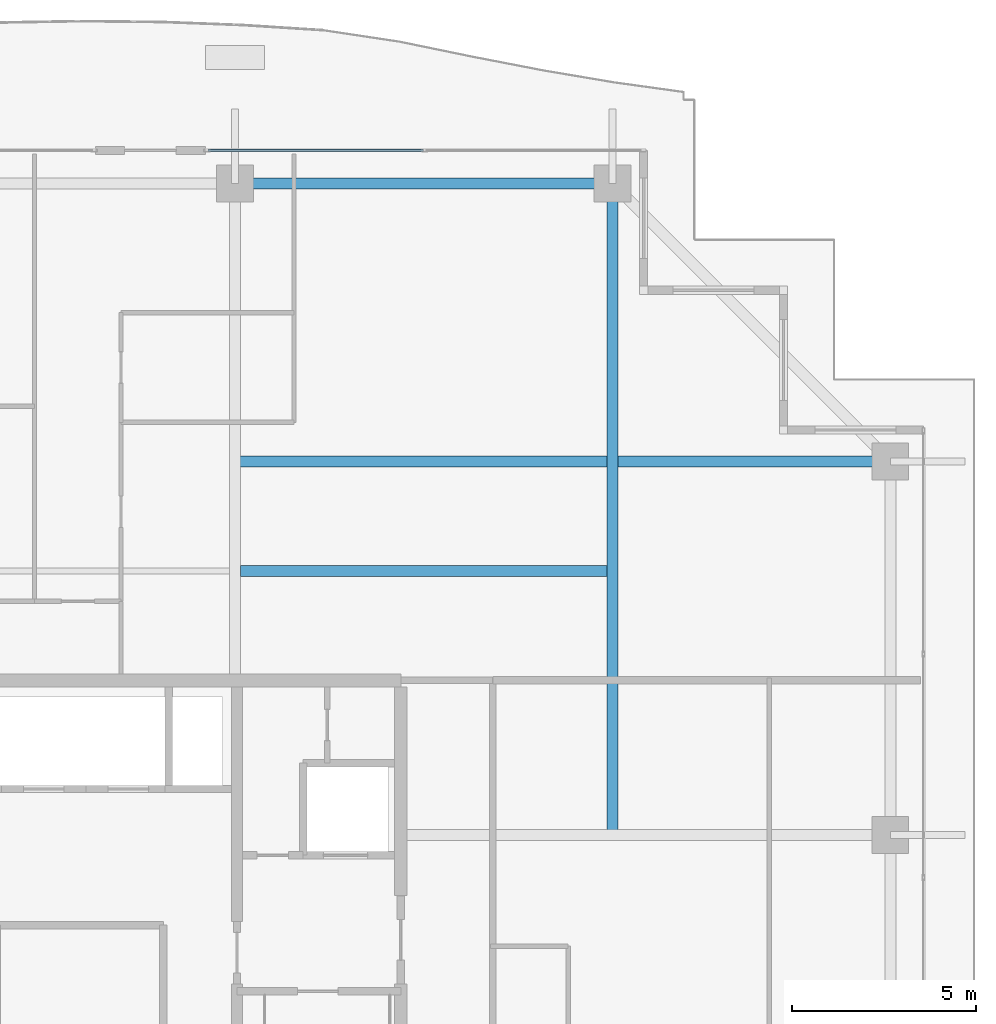
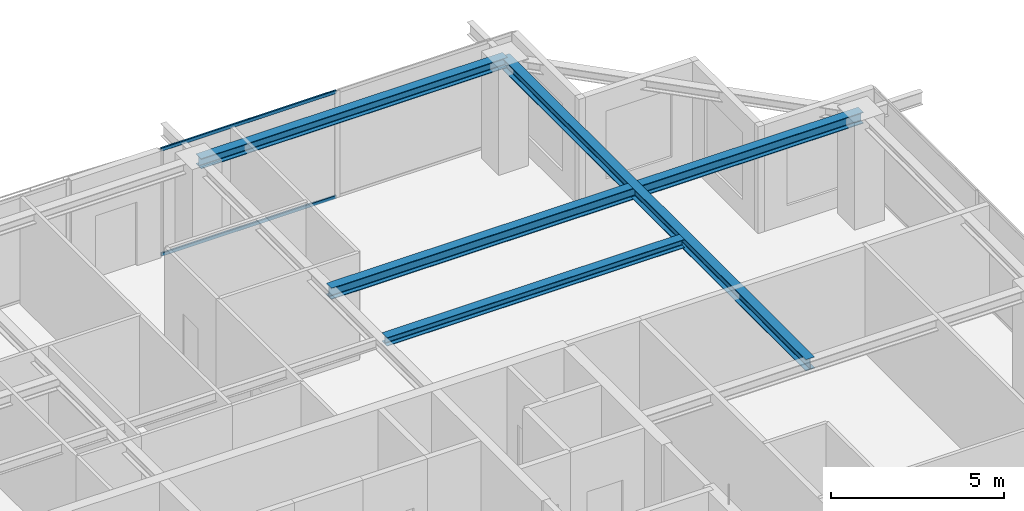
# One storey, part 21 of 37: 4 beams, 2 members, 1 element without a shape of its own.
"""IFC4 building model written with IfcOpenShell, lengths in metres."""

from ifc_helpers import new_model, si_unit, direction, frame, origin, origin_2d, place, context, subcontext, project, spatial, hollow_rectangle, i_section, extrude, source, transform, mapped, material, layer, layer_set, material_profile, profile_set, type_object, element, aggregate, save


model = new_model("IFC4")

# Units and contexts
model_context = context("Model", 3, precision=1e-05, world=origin(), true_north=direction((0.0, 1.0)))
body_context = subcontext(model_context, "Body", "Model", "MODEL_VIEW")
ifc_project = project(units=[si_unit("LENGTHUNIT", "METRE"), si_unit("AREAUNIT", "SQUARE_METRE"), si_unit("VOLUMEUNIT", "CUBIC_METRE"), si_unit("PLANEANGLEUNIT", "RADIAN"), si_unit("MASSUNIT", "GRAM", prefix="KILO")], contexts=[model_context])

# Site, building, storey
site_placement = place(None, origin())
site = spatial("IfcSite", under=ifc_project, at=site_placement, CompositionType="ELEMENT")
building_placement = place(site_placement, origin())
building = spatial("IfcBuilding", under=site, at=building_placement, Name="Serunith Strait Residences", CompositionType="ELEMENT")
storey_placement = place(building_placement, frame((0.0, 0.0, 317.75)))
storey = spatial("IfcBuildingStorey", under=building, at=storey_placement, Name="L79", CompositionType="ELEMENT", Elevation=317.75)

# Beams
ifc_material_1 = material(Name="Steel S355J2", Category="steel")
ifc_material_profile_1 = material_profile(ifc_material_1, i_section(OverallWidth=0.300048828125, OverallDepth=0.300048828125, WebThickness=0.010986328125, FlangeThickness=0.01904296875, FilletRadius=0.027099609375, at=origin_2d()), Name="HEB 300")
ifc_profile_set_1 = profile_set([ifc_material_profile_1], Name="Steel S355J2")
beam_type_1 = type_object("IfcBeamType", Name="BM-HEB300", PredefinedType="JOIST", material=ifc_profile_set_1)
shared_shape_1 = source(origin(), body_context, "Body", "SweptSolid", [
    extrude(i_section(OverallWidth=0.300048828125, OverallDepth=0.300048828125, WebThickness=0.010986328125, FlangeThickness=0.01904296875, FilletRadius=0.027099609375, at=origin_2d()), origin(), (0.0, 0.0, 1.0), 9.949951171875),
])
beam_1_placement = place(storey_placement, frame((37.050048828125, 36.574951171875, 3.636962890625), z_axis=(1.0, 0.0, 0.0), x_axis=(0.0, 1.0, 0.0)))
element("IfcBeam", 1, at=beam_1_placement, inside=storey, type_object=beam_type_1, Name="L79 Composite Floor Joist 06", PredefinedType="JOIST", context=body_context, shape_type="MappedRepresentation", body=[
    mapped(shared_shape_1, transform((0.0, 0.0, 0.0), scale=1.0)),
])
ifc_material_profile_2 = material_profile(ifc_material_1, i_section(OverallWidth=0.300048828125, OverallDepth=0.39990234375, WebThickness=0.013427734375, FlangeThickness=0.02392578125, FilletRadius=0.027099609375, at=origin_2d()), Name="HEB 400")
ifc_profile_set_2 = profile_set([ifc_material_profile_2], Name="Steel S355J2")
beam_type_2 = type_object("IfcBeamType", Name="BM-HEB400", PredefinedType="BEAM", material=ifc_profile_set_2)
shared_shape_2 = source(origin(), body_context, "Body", "SweptSolid", [
    extrude(i_section(OverallWidth=0.300048828125, OverallDepth=0.39990234375, WebThickness=0.013427734375, FlangeThickness=0.02392578125, FilletRadius=0.027099609375, at=origin_2d()), origin(), (0.0, 0.0, 1.0), 17.7001953125),
])
beam_2_placement = place(storey_placement, frame((47.14990234375, 29.39990234375, 3.5869140625), z_axis=(0.0, 1.0, 0.0), x_axis=(-1.0, 0.0, 0.0)))
element("IfcBeam", 2, at=beam_2_placement, inside=storey, type_object=beam_type_2, Name="L79 Orthogonal Corner Girder TC-N4", PredefinedType="BEAM", context=body_context, shape_type="MappedRepresentation", body=[
    mapped(shared_shape_2, transform((0.0, 0.0, 0.0), scale=1.0)),
])
shared_shape_3 = source(origin(), body_context, "Body", "SweptSolid", [
    extrude(i_section(OverallWidth=0.300048828125, OverallDepth=0.39990234375, WebThickness=0.013427734375, FlangeThickness=0.02392578125, FilletRadius=0.027099609375, at=origin_2d()), origin(), (0.0, 0.0, 1.0), 17.800048828125),
])
beam_3_placement = place(storey_placement, frame((36.89990234375, 39.550048828125, 3.5869140625), z_axis=(1.0, 0.0, 0.0), x_axis=(0.0, 1.0, 0.0)))
element("IfcBeam", 3, at=beam_3_placement, inside=storey, type_object=beam_type_2, Name="L79 Orthogonal Corner Girder TC-E4", PredefinedType="BEAM", context=body_context, shape_type="MappedRepresentation", body=[
    mapped(shared_shape_3, transform((0.0, 0.0, 0.0), scale=1.0)),
])
ifc_material_profile_3 = material_profile(ifc_material_1, i_section(OverallWidth=0.300048828125, OverallDepth=0.360107421875, WebThickness=0.012451171875, FlangeThickness=0.0224609375, FilletRadius=0.027099609375, at=origin_2d()), Name="HEB 360")
ifc_profile_set_3 = profile_set([ifc_material_profile_3], Name="Steel S355J2")
beam_type_3 = type_object("IfcBeamType", Name="BM-HEB360", PredefinedType="BEAM", material=ifc_profile_set_3)
shared_shape_4 = source(origin(), body_context, "Body", "SweptSolid", [
    extrude(i_section(OverallWidth=0.300048828125, OverallDepth=0.360107421875, WebThickness=0.012451171875, FlangeThickness=0.0224609375, FilletRadius=0.027099609375, at=origin_2d()), origin(), (0.0, 0.0, 1.0), 10.25),
])
beam_4_placement = place(storey_placement, frame((47.14990234375, 47.10009765625, 3.60693359375), z_axis=(-1.0, 0.0, 0.0), x_axis=(0.0, -1.0, 0.0)))
element("IfcBeam", 4, at=beam_4_placement, inside=storey, type_object=beam_type_3, Name="L79 Perimeter Ring Beam 09", PredefinedType="BEAM", context=body_context, shape_type="MappedRepresentation", body=[
    mapped(shared_shape_4, transform((0.0, 0.0, 0.0), scale=1.0)),
])

# Curtain wall, members
ifc_material_2 = material(Name="Brushed Stainless-Silver Aluminium", Category="aluminium")
ifc_layer = layer(ifc_material_2, 0.199951171875, Name="Brushed Stainless-Silver Aluminium")
ifc_layer_set = layer_set([ifc_layer], Name="Brushed Stainless-Silver Aluminium")
curtain_wall_type = type_object("IfcCurtainWallType", Name="CW-SYS5", PredefinedType="NOTDEFINED", material=ifc_layer_set)
curtain_wall_placement = place(storey_placement, origin())
curtain_wall = element("IfcCurtainWall", 5, at=curtain_wall_placement, inside=storey, type_object=curtain_wall_type, Name="L79 N Unitised Fritted Curtain Wall", PredefinedType="NOTDEFINED")
ifc_material_profile_4 = material_profile(ifc_material_2, hollow_rectangle(XDim=0.06005859375, YDim=0.1201171875, WallThickness=0.00341796875, InnerFilletRadius=0.00537109375, OuterFilletRadius=0.0087890625, at=origin_2d()), Name="ALU 120x60x3.5")
ifc_profile_set_4 = profile_set([ifc_material_profile_4], Name="Brushed Stainless-Silver Aluminium")
member_type = type_object("IfcMemberType", Name="CW-SYS5-TRAN", PredefinedType="USERDEFINED", material=ifc_profile_set_4)
shared_shape_5 = source(origin(), body_context, "Body", "SweptSolid", [
    extrude(hollow_rectangle(XDim=0.06005859375, YDim=0.1201171875, WallThickness=0.00341796875, InnerFilletRadius=0.00537109375, OuterFilletRadius=0.0087890625, at=origin_2d()), origin(), (0.0, 0.0, 1.0), 5.8525390625),
])
member_1_placement = place(storey_placement, frame((42.017578125, 48.0, 0.030029296875), z_axis=(-1.0, 0.0, 0.0), x_axis=(0.0, -1.0, 0.0)))
member_1 = element("IfcMember", 6, at=member_1_placement, type_object=member_type, Name="CW-5 transom 2.1", ObjectType="TRANSOM", PredefinedType="USERDEFINED", context=body_context, shape_type="MappedRepresentation", body=[
    mapped(shared_shape_5, transform((0.0, 0.0, 0.0), scale=1.0)),
])
member_2_placement = place(storey_placement, frame((42.017578125, 48.0, 3.7451171875), z_axis=(-1.0, 0.0, 0.0), x_axis=(0.0, -1.0, 0.0)))
member_2 = element("IfcMember", 7, at=member_2_placement, type_object=member_type, Name="CW-5 transom 2.2", ObjectType="TRANSOM", PredefinedType="USERDEFINED", context=body_context, shape_type="MappedRepresentation", body=[
    mapped(shared_shape_5, transform((0.0, 0.0, 0.0), scale=1.0)),
])
aggregate(curtain_wall, [member_1, member_2])

save(model, "model.ifc")
